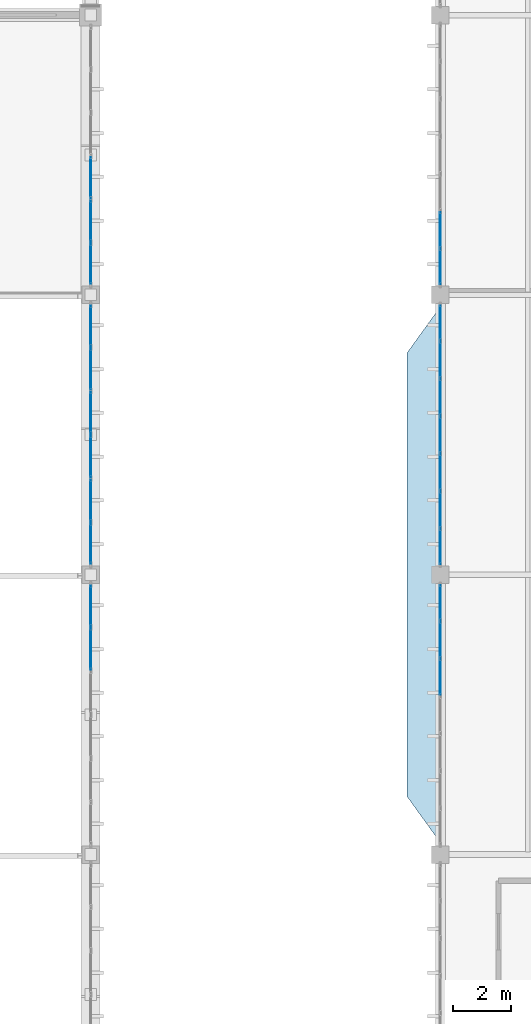
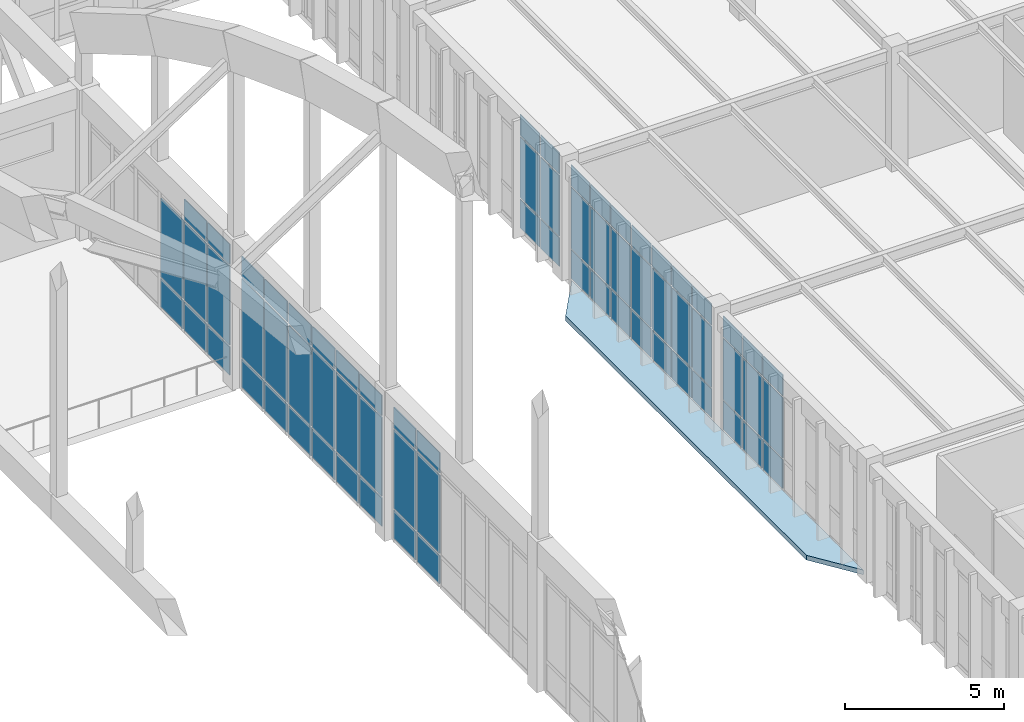
# One storey, part 204 of 236: 68 plates, 1 slab, 6 elements without a shape of their own.
"""IFC4 building model written with IfcOpenShell, lengths in metres."""

from ifc_helpers import new_model, si_unit, direction, frame, origin, origin_2d, place, context, subcontext, project, spatial, polyline, rectangle, outline, extrude, material, layer, layer_set, type_object, element, aggregate, save


model = new_model("IFC4")

# Units and contexts
model_context = context("Model", 3, precision=1e-05, world=origin(), true_north=direction((0.0, 1.0)))
body_context = subcontext(model_context, "Body", "Model", "MODEL_VIEW")
ifc_project = project(units=[si_unit("LENGTHUNIT", "METRE"), si_unit("AREAUNIT", "SQUARE_METRE"), si_unit("VOLUMEUNIT", "CUBIC_METRE"), si_unit("PLANEANGLEUNIT", "RADIAN"), si_unit("MASSUNIT", "GRAM", prefix="KILO")], contexts=[model_context])

# Site, building, storey
site_placement = place(None, origin())
site = spatial("IfcSite", under=ifc_project, at=site_placement, CompositionType="ELEMENT")
building_placement = place(site_placement, origin())
building = spatial("IfcBuilding", under=site, at=building_placement, Name="Pandanus Reach Market Hall", CompositionType="ELEMENT")
storey_placement = place(building_placement, frame((0.0, 0.0, 5.39990234375)))
storey = spatial("IfcBuildingStorey", under=building, at=storey_placement, Name="L01", CompositionType="ELEMENT", Elevation=5.39990234375)

# Curtain wall, plates
ifc_material_1 = material(Name="Bronze anodised aluminium and low-E glass", Category="aluminium")
ifc_layer_1 = layer(ifc_material_1, 0.159912109375, Name="CW-29")
ifc_layer_set_1 = layer_set([ifc_layer_1], Name="Bronze anodised aluminium and low-E glass")
curtain_wall_type_1 = type_object("IfcCurtainWallType", Name="CW-29", PredefinedType="NOTDEFINED", material=ifc_layer_set_1)
curtain_wall_1_placement = place(storey_placement, origin())
curtain_wall_1 = element("IfcCurtainWall", 1, at=curtain_wall_1_placement, inside=storey, type_object=curtain_wall_type_1, Name="Glazed curtain wall CW-29 CW-0096", PredefinedType="NOTDEFINED")
ifc_material_2 = material(Name="Solar-control double glazing", Category="glass")
ifc_layer_2 = layer(ifc_material_2, 0.028076171875, Name="CW-P1")
ifc_layer_set_2 = layer_set([ifc_layer_2], Name="Solar-control double glazing")
plate_type_1 = type_object("IfcPlateType", Name="CW-P1", PredefinedType="CURTAIN_PANEL", material=ifc_layer_set_2)
plate_1_placement = place(storey_placement, frame((144.0, 63.685791015625, 0.065185546875), z_axis=(0.0, 0.0, 1.0), x_axis=(0.0, 1.0, 0.0)))
plate_1 = element("IfcPlate", 2, at=plate_1_placement, type_object=plate_type_1, Name="CW-29 panel 5.1", PredefinedType="CURTAIN_PANEL", context=body_context, shape_type="SweptSolid", body=[
    extrude(rectangle(XDim=1.220703125, YDim=0.028076171875, at=origin_2d()), origin(), (0.0, 0.0, 1.0), 1.1025390625),
])
plate_2_placement = place(storey_placement, frame((144.0, 63.685791015625, 1.232666015625), z_axis=(0.0, 0.0, 1.0), x_axis=(0.0, 1.0, 0.0)))
plate_2 = element("IfcPlate", 3, at=plate_2_placement, type_object=plate_type_1, Name="CW-29 panel 5.2", PredefinedType="CURTAIN_PANEL", context=body_context, shape_type="SweptSolid", body=[
    extrude(rectangle(XDim=1.220703125, YDim=0.028076171875, at=origin_2d()), origin(), (0.0, 0.0, 1.0), 2.3349609375),
])
plate_3_placement = place(storey_placement, frame((144.0, 63.685791015625, 3.6328125), z_axis=(0.0, 0.0, 1.0), x_axis=(0.0, 1.0, 0.0)))
plate_3 = element("IfcPlate", 4, at=plate_3_placement, type_object=plate_type_1, Name="CW-29 panel 5.3", PredefinedType="CURTAIN_PANEL", context=body_context, shape_type="SweptSolid", body=[
    extrude(rectangle(XDim=1.220703125, YDim=0.028076171875, at=origin_2d()), origin(), (0.0, 0.0, 1.0), 0.802490234375),
])
plate_4_placement = place(storey_placement, frame((144.0, 64.971435546875, 0.065185546875), z_axis=(0.0, 0.0, 1.0), x_axis=(0.0, 1.0, 0.0)))
plate_4 = element("IfcPlate", 5, at=plate_4_placement, type_object=plate_type_1, Name="CW-29 panel 6.1", PredefinedType="CURTAIN_PANEL", context=body_context, shape_type="SweptSolid", body=[
    extrude(rectangle(XDim=1.220703125, YDim=0.028076171875, at=origin_2d()), origin(), (0.0, 0.0, 1.0), 1.1025390625),
])
plate_5_placement = place(storey_placement, frame((144.0, 64.971435546875, 1.232666015625), z_axis=(0.0, 0.0, 1.0), x_axis=(0.0, 1.0, 0.0)))
plate_5 = element("IfcPlate", 6, at=plate_5_placement, type_object=plate_type_1, Name="CW-29 panel 6.2", PredefinedType="CURTAIN_PANEL", context=body_context, shape_type="SweptSolid", body=[
    extrude(rectangle(XDim=1.220703125, YDim=0.028076171875, at=origin_2d()), origin(), (0.0, 0.0, 1.0), 2.3349609375),
])
plate_6_placement = place(storey_placement, frame((144.0, 64.971435546875, 3.6328125), z_axis=(0.0, 0.0, 1.0), x_axis=(0.0, 1.0, 0.0)))
plate_6 = element("IfcPlate", 7, at=plate_6_placement, type_object=plate_type_1, Name="CW-29 panel 6.3", PredefinedType="CURTAIN_PANEL", context=body_context, shape_type="SweptSolid", body=[
    extrude(rectangle(XDim=1.220703125, YDim=0.028076171875, at=origin_2d()), origin(), (0.0, 0.0, 1.0), 0.802490234375),
])
plate_7_placement = place(storey_placement, frame((144.0, 66.240966796875, 0.065185546875), z_axis=(0.0, 0.0, 1.0), x_axis=(0.0, 1.0, 0.0)))
plate_7 = element("IfcPlate", 8, at=plate_7_placement, type_object=plate_type_1, Name="CW-29 panel 7.1", PredefinedType="CURTAIN_PANEL", context=body_context, shape_type="SweptSolid", body=[
    extrude(rectangle(XDim=1.188232421875, YDim=0.028076171875, at=origin_2d()), origin(), (0.0, 0.0, 1.0), 1.1025390625),
])
plate_8_placement = place(storey_placement, frame((144.0, 66.240966796875, 1.232666015625), z_axis=(0.0, 0.0, 1.0), x_axis=(0.0, 1.0, 0.0)))
plate_8 = element("IfcPlate", 9, at=plate_8_placement, type_object=plate_type_1, Name="CW-29 panel 7.2", PredefinedType="CURTAIN_PANEL", context=body_context, shape_type="SweptSolid", body=[
    extrude(rectangle(XDim=1.188232421875, YDim=0.028076171875, at=origin_2d()), origin(), (0.0, 0.0, 1.0), 2.3349609375),
])
plate_9_placement = place(storey_placement, frame((144.0, 66.240966796875, 3.6328125), z_axis=(0.0, 0.0, 1.0), x_axis=(0.0, 1.0, 0.0)))
plate_9 = element("IfcPlate", 10, at=plate_9_placement, type_object=plate_type_1, Name="CW-29 panel 7.3", PredefinedType="CURTAIN_PANEL", context=body_context, shape_type="SweptSolid", body=[
    extrude(rectangle(XDim=1.188232421875, YDim=0.028076171875, at=origin_2d()), origin(), (0.0, 0.0, 1.0), 0.802490234375),
])
aggregate(curtain_wall_1, [plate_1, plate_2, plate_3, plate_4, plate_5, plate_6, plate_7, plate_8, plate_9])

curtain_wall_2_placement = place(storey_placement, origin())
curtain_wall_2 = element("IfcCurtainWall", 11, at=curtain_wall_2_placement, inside=storey, type_object=curtain_wall_type_1, Name="Glazed curtain wall CW-29 CW-0097", PredefinedType="NOTDEFINED")
plate_10_placement = place(storey_placement, frame((144.0, 68.1591796875, 0.065185546875), z_axis=(0.0, 0.0, 1.0), x_axis=(0.0, 1.0, 0.0)))
plate_10 = element("IfcPlate", 12, at=plate_10_placement, type_object=plate_type_1, Name="CW-29 panel 1.1", PredefinedType="CURTAIN_PANEL", context=body_context, shape_type="SweptSolid", body=[
    extrude(rectangle(XDim=1.188232421875, YDim=0.028076171875, at=origin_2d()), origin(), (0.0, 0.0, 1.0), 1.1025390625),
])
plate_11_placement = place(storey_placement, frame((144.0, 68.1591796875, 1.232666015625), z_axis=(0.0, 0.0, 1.0), x_axis=(0.0, 1.0, 0.0)))
plate_11 = element("IfcPlate", 13, at=plate_11_placement, type_object=plate_type_1, Name="CW-29 panel 1.2", PredefinedType="CURTAIN_PANEL", context=body_context, shape_type="SweptSolid", body=[
    extrude(rectangle(XDim=1.188232421875, YDim=0.028076171875, at=origin_2d()), origin(), (0.0, 0.0, 1.0), 2.3349609375),
])
plate_12_placement = place(storey_placement, frame((144.0, 68.1591796875, 3.6328125), z_axis=(0.0, 0.0, 1.0), x_axis=(0.0, 1.0, 0.0)))
plate_12 = element("IfcPlate", 14, at=plate_12_placement, type_object=plate_type_1, Name="CW-29 panel 1.3", PredefinedType="CURTAIN_PANEL", context=body_context, shape_type="SweptSolid", body=[
    extrude(rectangle(XDim=1.188232421875, YDim=0.028076171875, at=origin_2d()), origin(), (0.0, 0.0, 1.0), 0.802490234375),
])
plate_13_placement = place(storey_placement, frame((144.0, 69.428466796875, 0.065185546875), z_axis=(0.0, 0.0, 1.0), x_axis=(0.0, 1.0, 0.0)))
plate_13 = element("IfcPlate", 15, at=plate_13_placement, type_object=plate_type_1, Name="CW-29 panel 2.1", PredefinedType="CURTAIN_PANEL", context=body_context, shape_type="SweptSolid", body=[
    extrude(rectangle(XDim=1.220703125, YDim=0.028076171875, at=origin_2d()), origin(), (0.0, 0.0, 1.0), 1.1025390625),
])
plate_14_placement = place(storey_placement, frame((144.0, 69.428466796875, 1.232666015625), z_axis=(0.0, 0.0, 1.0), x_axis=(0.0, 1.0, 0.0)))
plate_14 = element("IfcPlate", 16, at=plate_14_placement, type_object=plate_type_1, Name="CW-29 panel 2.2", PredefinedType="CURTAIN_PANEL", context=body_context, shape_type="SweptSolid", body=[
    extrude(rectangle(XDim=1.220703125, YDim=0.028076171875, at=origin_2d()), origin(), (0.0, 0.0, 1.0), 2.3349609375),
])
plate_15_placement = place(storey_placement, frame((144.0, 69.428466796875, 3.6328125), z_axis=(0.0, 0.0, 1.0), x_axis=(0.0, 1.0, 0.0)))
plate_15 = element("IfcPlate", 17, at=plate_15_placement, type_object=plate_type_1, Name="CW-29 panel 2.3", PredefinedType="CURTAIN_PANEL", context=body_context, shape_type="SweptSolid", body=[
    extrude(rectangle(XDim=1.220703125, YDim=0.028076171875, at=origin_2d()), origin(), (0.0, 0.0, 1.0), 0.802490234375),
])
plate_16_placement = place(storey_placement, frame((144.0, 70.71435546875, 0.065185546875), z_axis=(0.0, 0.0, 1.0), x_axis=(0.0, 1.0, 0.0)))
plate_16 = element("IfcPlate", 18, at=plate_16_placement, type_object=plate_type_1, Name="CW-29 panel 3.1", PredefinedType="CURTAIN_PANEL", context=body_context, shape_type="SweptSolid", body=[
    extrude(rectangle(XDim=1.220703125, YDim=0.028076171875, at=origin_2d()), origin(), (0.0, 0.0, 1.0), 1.1025390625),
])
plate_17_placement = place(storey_placement, frame((144.0, 70.71435546875, 1.232666015625), z_axis=(0.0, 0.0, 1.0), x_axis=(0.0, 1.0, 0.0)))
plate_17 = element("IfcPlate", 19, at=plate_17_placement, type_object=plate_type_1, Name="CW-29 panel 3.2", PredefinedType="CURTAIN_PANEL", context=body_context, shape_type="SweptSolid", body=[
    extrude(rectangle(XDim=1.220703125, YDim=0.028076171875, at=origin_2d()), origin(), (0.0, 0.0, 1.0), 2.3349609375),
])
plate_18_placement = place(storey_placement, frame((144.0, 70.71435546875, 3.6328125), z_axis=(0.0, 0.0, 1.0), x_axis=(0.0, 1.0, 0.0)))
plate_18 = element("IfcPlate", 20, at=plate_18_placement, type_object=plate_type_1, Name="CW-29 panel 3.3", PredefinedType="CURTAIN_PANEL", context=body_context, shape_type="SweptSolid", body=[
    extrude(rectangle(XDim=1.220703125, YDim=0.028076171875, at=origin_2d()), origin(), (0.0, 0.0, 1.0), 0.802490234375),
])
plate_19_placement = place(storey_placement, frame((144.0, 72.0, 0.065185546875), z_axis=(0.0, 0.0, 1.0), x_axis=(0.0, 1.0, 0.0)))
plate_19 = element("IfcPlate", 21, at=plate_19_placement, type_object=plate_type_1, Name="CW-29 panel 4.1", PredefinedType="CURTAIN_PANEL", context=body_context, shape_type="SweptSolid", body=[
    extrude(rectangle(XDim=1.220703125, YDim=0.028076171875, at=origin_2d()), origin(), (0.0, 0.0, 1.0), 1.1025390625),
])
plate_20_placement = place(storey_placement, frame((144.0, 72.0, 1.232666015625), z_axis=(0.0, 0.0, 1.0), x_axis=(0.0, 1.0, 0.0)))
plate_20 = element("IfcPlate", 22, at=plate_20_placement, type_object=plate_type_1, Name="CW-29 panel 4.2", PredefinedType="CURTAIN_PANEL", context=body_context, shape_type="SweptSolid", body=[
    extrude(rectangle(XDim=1.220703125, YDim=0.028076171875, at=origin_2d()), origin(), (0.0, 0.0, 1.0), 2.3349609375),
])
plate_21_placement = place(storey_placement, frame((144.0, 72.0, 3.6328125), z_axis=(0.0, 0.0, 1.0), x_axis=(0.0, 1.0, 0.0)))
plate_21 = element("IfcPlate", 23, at=plate_21_placement, type_object=plate_type_1, Name="CW-29 panel 4.3", PredefinedType="CURTAIN_PANEL", context=body_context, shape_type="SweptSolid", body=[
    extrude(rectangle(XDim=1.220703125, YDim=0.028076171875, at=origin_2d()), origin(), (0.0, 0.0, 1.0), 0.802490234375),
])
plate_22_placement = place(storey_placement, frame((144.0, 73.28564453125, 0.065185546875), z_axis=(0.0, 0.0, 1.0), x_axis=(0.0, 1.0, 0.0)))
plate_22 = element("IfcPlate", 24, at=plate_22_placement, type_object=plate_type_1, Name="CW-29 panel 5.1", PredefinedType="CURTAIN_PANEL", context=body_context, shape_type="SweptSolid", body=[
    extrude(rectangle(XDim=1.220703125, YDim=0.028076171875, at=origin_2d()), origin(), (0.0, 0.0, 1.0), 1.1025390625),
])
plate_23_placement = place(storey_placement, frame((144.0, 73.28564453125, 1.232666015625), z_axis=(0.0, 0.0, 1.0), x_axis=(0.0, 1.0, 0.0)))
plate_23 = element("IfcPlate", 25, at=plate_23_placement, type_object=plate_type_1, Name="CW-29 panel 5.2", PredefinedType="CURTAIN_PANEL", context=body_context, shape_type="SweptSolid", body=[
    extrude(rectangle(XDim=1.220703125, YDim=0.028076171875, at=origin_2d()), origin(), (0.0, 0.0, 1.0), 2.3349609375),
])
plate_24_placement = place(storey_placement, frame((144.0, 73.28564453125, 3.6328125), z_axis=(0.0, 0.0, 1.0), x_axis=(0.0, 1.0, 0.0)))
plate_24 = element("IfcPlate", 26, at=plate_24_placement, type_object=plate_type_1, Name="CW-29 panel 5.3", PredefinedType="CURTAIN_PANEL", context=body_context, shape_type="SweptSolid", body=[
    extrude(rectangle(XDim=1.220703125, YDim=0.028076171875, at=origin_2d()), origin(), (0.0, 0.0, 1.0), 0.802490234375),
])
plate_25_placement = place(storey_placement, frame((144.0, 74.571533203125, 0.065185546875), z_axis=(0.0, 0.0, 1.0), x_axis=(0.0, 1.0, 0.0)))
plate_25 = element("IfcPlate", 27, at=plate_25_placement, type_object=plate_type_1, Name="CW-29 panel 6.1", PredefinedType="CURTAIN_PANEL", context=body_context, shape_type="SweptSolid", body=[
    extrude(rectangle(XDim=1.220703125, YDim=0.028076171875, at=origin_2d()), origin(), (0.0, 0.0, 1.0), 1.1025390625),
])
plate_26_placement = place(storey_placement, frame((144.0, 74.571533203125, 1.232666015625), z_axis=(0.0, 0.0, 1.0), x_axis=(0.0, 1.0, 0.0)))
plate_26 = element("IfcPlate", 28, at=plate_26_placement, type_object=plate_type_1, Name="CW-29 panel 6.2", PredefinedType="CURTAIN_PANEL", context=body_context, shape_type="SweptSolid", body=[
    extrude(rectangle(XDim=1.220703125, YDim=0.028076171875, at=origin_2d()), origin(), (0.0, 0.0, 1.0), 2.3349609375),
])
plate_27_placement = place(storey_placement, frame((144.0, 74.571533203125, 3.6328125), z_axis=(0.0, 0.0, 1.0), x_axis=(0.0, 1.0, 0.0)))
plate_27 = element("IfcPlate", 29, at=plate_27_placement, type_object=plate_type_1, Name="CW-29 panel 6.3", PredefinedType="CURTAIN_PANEL", context=body_context, shape_type="SweptSolid", body=[
    extrude(rectangle(XDim=1.220703125, YDim=0.028076171875, at=origin_2d()), origin(), (0.0, 0.0, 1.0), 0.802490234375),
])
plate_28_placement = place(storey_placement, frame((144.0, 75.8408203125, 0.065185546875), z_axis=(0.0, 0.0, 1.0), x_axis=(0.0, 1.0, 0.0)))
plate_28 = element("IfcPlate", 30, at=plate_28_placement, type_object=plate_type_1, Name="CW-29 panel 7.1", PredefinedType="CURTAIN_PANEL", context=body_context, shape_type="SweptSolid", body=[
    extrude(rectangle(XDim=1.188232421875, YDim=0.028076171875, at=origin_2d()), origin(), (0.0, 0.0, 1.0), 1.1025390625),
])
plate_29_placement = place(storey_placement, frame((144.0, 75.8408203125, 1.232666015625), z_axis=(0.0, 0.0, 1.0), x_axis=(0.0, 1.0, 0.0)))
plate_29 = element("IfcPlate", 31, at=plate_29_placement, type_object=plate_type_1, Name="CW-29 panel 7.2", PredefinedType="CURTAIN_PANEL", context=body_context, shape_type="SweptSolid", body=[
    extrude(rectangle(XDim=1.188232421875, YDim=0.028076171875, at=origin_2d()), origin(), (0.0, 0.0, 1.0), 2.3349609375),
])
plate_30_placement = place(storey_placement, frame((144.0, 75.8408203125, 3.6328125), z_axis=(0.0, 0.0, 1.0), x_axis=(0.0, 1.0, 0.0)))
plate_30 = element("IfcPlate", 32, at=plate_30_placement, type_object=plate_type_1, Name="CW-29 panel 7.3", PredefinedType="CURTAIN_PANEL", context=body_context, shape_type="SweptSolid", body=[
    extrude(rectangle(XDim=1.188232421875, YDim=0.028076171875, at=origin_2d()), origin(), (0.0, 0.0, 1.0), 0.802490234375),
])
aggregate(curtain_wall_2, [plate_10, plate_11, plate_12, plate_13, plate_14, plate_15, plate_16, plate_17, plate_18, plate_19, plate_20, plate_21, plate_22, plate_23, plate_24, plate_25, plate_26, plate_27, plate_28, plate_29, plate_30])

curtain_wall_3_placement = place(storey_placement, origin())
curtain_wall_3 = element("IfcCurtainWall", 33, at=curtain_wall_3_placement, inside=storey, type_object=curtain_wall_type_1, Name="Glazed curtain wall CW-29 CW-0098", PredefinedType="NOTDEFINED")
plate_31_placement = place(storey_placement, frame((144.0, 77.759033203125, 0.065185546875), z_axis=(0.0, 0.0, 1.0), x_axis=(0.0, 1.0, 0.0)))
plate_31 = element("IfcPlate", 34, at=plate_31_placement, type_object=plate_type_1, Name="CW-29 panel 1.1", PredefinedType="CURTAIN_PANEL", context=body_context, shape_type="SweptSolid", body=[
    extrude(rectangle(XDim=1.188232421875, YDim=0.028076171875, at=origin_2d()), origin(), (0.0, 0.0, 1.0), 1.1025390625),
])
plate_32_placement = place(storey_placement, frame((144.0, 77.759033203125, 1.232666015625), z_axis=(0.0, 0.0, 1.0), x_axis=(0.0, 1.0, 0.0)))
plate_32 = element("IfcPlate", 35, at=plate_32_placement, type_object=plate_type_1, Name="CW-29 panel 1.2", PredefinedType="CURTAIN_PANEL", context=body_context, shape_type="SweptSolid", body=[
    extrude(rectangle(XDim=1.188232421875, YDim=0.028076171875, at=origin_2d()), origin(), (0.0, 0.0, 1.0), 2.3349609375),
])
plate_33_placement = place(storey_placement, frame((144.0, 77.759033203125, 3.6328125), z_axis=(0.0, 0.0, 1.0), x_axis=(0.0, 1.0, 0.0)))
plate_33 = element("IfcPlate", 36, at=plate_33_placement, type_object=plate_type_1, Name="CW-29 panel 1.3", PredefinedType="CURTAIN_PANEL", context=body_context, shape_type="SweptSolid", body=[
    extrude(rectangle(XDim=1.188232421875, YDim=0.028076171875, at=origin_2d()), origin(), (0.0, 0.0, 1.0), 0.802490234375),
])
plate_34_placement = place(storey_placement, frame((144.0, 79.028564453125, 0.065185546875), z_axis=(0.0, 0.0, 1.0), x_axis=(0.0, 1.0, 0.0)))
plate_34 = element("IfcPlate", 37, at=plate_34_placement, type_object=plate_type_1, Name="CW-29 panel 2.1", PredefinedType="CURTAIN_PANEL", context=body_context, shape_type="SweptSolid", body=[
    extrude(rectangle(XDim=1.220703125, YDim=0.028076171875, at=origin_2d()), origin(), (0.0, 0.0, 1.0), 1.1025390625),
])
plate_35_placement = place(storey_placement, frame((144.0, 79.028564453125, 1.232666015625), z_axis=(0.0, 0.0, 1.0), x_axis=(0.0, 1.0, 0.0)))
plate_35 = element("IfcPlate", 38, at=plate_35_placement, type_object=plate_type_1, Name="CW-29 panel 2.2", PredefinedType="CURTAIN_PANEL", context=body_context, shape_type="SweptSolid", body=[
    extrude(rectangle(XDim=1.220703125, YDim=0.028076171875, at=origin_2d()), origin(), (0.0, 0.0, 1.0), 2.3349609375),
])
plate_36_placement = place(storey_placement, frame((144.0, 79.028564453125, 3.6328125), z_axis=(0.0, 0.0, 1.0), x_axis=(0.0, 1.0, 0.0)))
plate_36 = element("IfcPlate", 39, at=plate_36_placement, type_object=plate_type_1, Name="CW-29 panel 2.3", PredefinedType="CURTAIN_PANEL", context=body_context, shape_type="SweptSolid", body=[
    extrude(rectangle(XDim=1.220703125, YDim=0.028076171875, at=origin_2d()), origin(), (0.0, 0.0, 1.0), 0.802490234375),
])
aggregate(curtain_wall_3, [plate_31, plate_32, plate_33, plate_34, plate_35, plate_36])

ifc_layer_3 = layer(ifc_material_1, 0.199951171875, Name="CW-05")
ifc_layer_set_3 = layer_set([ifc_layer_3], Name="Bronze anodised aluminium and low-E glass")
curtain_wall_type_2 = type_object("IfcCurtainWallType", Name="CW-05", PredefinedType="NOTDEFINED", material=ifc_layer_set_3)
curtain_wall_4_placement = place(storey_placement, origin())
curtain_wall_4 = element("IfcCurtainWall", 40, at=curtain_wall_4_placement, inside=storey, type_object=curtain_wall_type_2, Name="Glazed curtain wall CW-05 CW-0031", PredefinedType="NOTDEFINED")
ifc_material_3 = material(Name="Acoustic laminated solar double glazing", Category="glass")
ifc_layer_4 = layer(ifc_material_3, 0.031982421875, Name="CW-P2")
ifc_layer_set_4 = layer_set([ifc_layer_4], Name="Acoustic laminated solar double glazing")
plate_type_2 = type_object("IfcPlateType", Name="CW-P2", PredefinedType="CURTAIN_PANEL", material=ifc_layer_set_4)
plate_37_placement = place(storey_placement, frame((132.0, 64.64990234375, 0.0751953125), z_axis=(0.0, 0.0, 1.0), x_axis=(0.0, 1.0, 0.0)))
plate_37 = element("IfcPlate", 41, at=plate_37_placement, type_object=plate_type_2, Name="CW-05 panel 5.1", PredefinedType="CURTAIN_PANEL", context=body_context, shape_type="SweptSolid", body=[
    extrude(rectangle(XDim=1.425048828125, YDim=0.031982421875, at=origin_2d()), origin(), (0.0, 0.0, 1.0), 1.08740234375),
])
plate_38_placement = place(storey_placement, frame((132.0, 64.64990234375, 1.237548828125), z_axis=(0.0, 0.0, 1.0), x_axis=(0.0, 1.0, 0.0)))
plate_38 = element("IfcPlate", 42, at=plate_38_placement, type_object=plate_type_2, Name="CW-05 panel 5.2", PredefinedType="CURTAIN_PANEL", context=body_context, shape_type="SweptSolid", body=[
    extrude(rectangle(XDim=1.425048828125, YDim=0.031982421875, at=origin_2d()), origin(), (0.0, 0.0, 1.0), 3.02490234375),
])
plate_39_placement = place(storey_placement, frame((132.0, 64.64990234375, 4.337646484375), z_axis=(0.0, 0.0, 1.0), x_axis=(0.0, 1.0, 0.0)))
plate_39 = element("IfcPlate", 43, at=plate_39_placement, type_object=plate_type_2, Name="CW-05 panel 5.3", PredefinedType="CURTAIN_PANEL", context=body_context, shape_type="SweptSolid", body=[
    extrude(rectangle(XDim=1.425048828125, YDim=0.031982421875, at=origin_2d()), origin(), (0.0, 0.0, 1.0), 0.78759765625),
])
plate_40_placement = place(storey_placement, frame((132.0, 66.13134765625, 0.0751953125), z_axis=(0.0, 0.0, 1.0), x_axis=(0.0, 1.0, 0.0)))
plate_40 = element("IfcPlate", 44, at=plate_40_placement, type_object=plate_type_2, Name="CW-05 panel 6.1", PredefinedType="CURTAIN_PANEL", context=body_context, shape_type="SweptSolid", body=[
    extrude(rectangle(XDim=1.387451171875, YDim=0.031982421875, at=origin_2d()), origin(), (0.0, 0.0, 1.0), 1.08740234375),
])
plate_41_placement = place(storey_placement, frame((132.0, 66.13134765625, 1.237548828125), z_axis=(0.0, 0.0, 1.0), x_axis=(0.0, 1.0, 0.0)))
plate_41 = element("IfcPlate", 45, at=plate_41_placement, type_object=plate_type_2, Name="CW-05 panel 6.2", PredefinedType="CURTAIN_PANEL", context=body_context, shape_type="SweptSolid", body=[
    extrude(rectangle(XDim=1.387451171875, YDim=0.031982421875, at=origin_2d()), origin(), (0.0, 0.0, 1.0), 3.02490234375),
])
plate_42_placement = place(storey_placement, frame((132.0, 66.13134765625, 4.337646484375), z_axis=(0.0, 0.0, 1.0), x_axis=(0.0, 1.0, 0.0)))
plate_42 = element("IfcPlate", 46, at=plate_42_placement, type_object=plate_type_2, Name="CW-05 panel 6.3", PredefinedType="CURTAIN_PANEL", context=body_context, shape_type="SweptSolid", body=[
    extrude(rectangle(XDim=1.387451171875, YDim=0.031982421875, at=origin_2d()), origin(), (0.0, 0.0, 1.0), 0.78759765625),
])
aggregate(curtain_wall_4, [plate_37, plate_38, plate_39, plate_40, plate_41, plate_42])

curtain_wall_5_placement = place(storey_placement, origin())
curtain_wall_5 = element("IfcCurtainWall", 47, at=curtain_wall_5_placement, inside=storey, type_object=curtain_wall_type_2, Name="Glazed curtain wall CW-05 CW-0033", PredefinedType="NOTDEFINED")
plate_43_placement = place(storey_placement, frame((132.0, 68.268798828125, 0.0751953125), z_axis=(0.0, 0.0, 1.0), x_axis=(0.0, 1.0, 0.0)))
plate_43 = element("IfcPlate", 48, at=plate_43_placement, type_object=plate_type_2, Name="CW-05 panel 1.1", PredefinedType="CURTAIN_PANEL", context=body_context, shape_type="SweptSolid", body=[
    extrude(rectangle(XDim=1.387451171875, YDim=0.031982421875, at=origin_2d()), origin(), (0.0, 0.0, 1.0), 1.08740234375),
])
plate_44_placement = place(storey_placement, frame((132.0, 68.268798828125, 1.237548828125), z_axis=(0.0, 0.0, 1.0), x_axis=(0.0, 1.0, 0.0)))
plate_44 = element("IfcPlate", 49, at=plate_44_placement, type_object=plate_type_2, Name="CW-05 panel 1.2", PredefinedType="CURTAIN_PANEL", context=body_context, shape_type="SweptSolid", body=[
    extrude(rectangle(XDim=1.387451171875, YDim=0.031982421875, at=origin_2d()), origin(), (0.0, 0.0, 1.0), 3.02490234375),
])
plate_45_placement = place(storey_placement, frame((132.0, 68.268798828125, 4.337646484375), z_axis=(0.0, 0.0, 1.0), x_axis=(0.0, 1.0, 0.0)))
plate_45 = element("IfcPlate", 50, at=plate_45_placement, type_object=plate_type_2, Name="CW-05 panel 1.3", PredefinedType="CURTAIN_PANEL", context=body_context, shape_type="SweptSolid", body=[
    extrude(rectangle(XDim=1.387451171875, YDim=0.031982421875, at=origin_2d()), origin(), (0.0, 0.0, 1.0), 0.78759765625),
])
plate_46_placement = place(storey_placement, frame((132.0, 69.75, 0.0751953125), z_axis=(0.0, 0.0, 1.0), x_axis=(0.0, 1.0, 0.0)))
plate_46 = element("IfcPlate", 51, at=plate_46_placement, type_object=plate_type_2, Name="CW-05 panel 2.1", PredefinedType="CURTAIN_PANEL", context=body_context, shape_type="SweptSolid", body=[
    extrude(rectangle(XDim=1.425048828125, YDim=0.031982421875, at=origin_2d()), origin(), (0.0, 0.0, 1.0), 1.08740234375),
])
plate_47_placement = place(storey_placement, frame((132.0, 69.75, 1.237548828125), z_axis=(0.0, 0.0, 1.0), x_axis=(0.0, 1.0, 0.0)))
plate_47 = element("IfcPlate", 52, at=plate_47_placement, type_object=plate_type_2, Name="CW-05 panel 2.2", PredefinedType="CURTAIN_PANEL", context=body_context, shape_type="SweptSolid", body=[
    extrude(rectangle(XDim=1.425048828125, YDim=0.031982421875, at=origin_2d()), origin(), (0.0, 0.0, 1.0), 3.02490234375),
])
plate_48_placement = place(storey_placement, frame((132.0, 69.75, 4.337646484375), z_axis=(0.0, 0.0, 1.0), x_axis=(0.0, 1.0, 0.0)))
plate_48 = element("IfcPlate", 53, at=plate_48_placement, type_object=plate_type_2, Name="CW-05 panel 2.3", PredefinedType="CURTAIN_PANEL", context=body_context, shape_type="SweptSolid", body=[
    extrude(rectangle(XDim=1.425048828125, YDim=0.031982421875, at=origin_2d()), origin(), (0.0, 0.0, 1.0), 0.78759765625),
])
plate_49_placement = place(storey_placement, frame((132.0, 71.25, 0.0751953125), z_axis=(0.0, 0.0, 1.0), x_axis=(0.0, 1.0, 0.0)))
plate_49 = element("IfcPlate", 54, at=plate_49_placement, type_object=plate_type_2, Name="CW-05 panel 3.1", PredefinedType="CURTAIN_PANEL", context=body_context, shape_type="SweptSolid", body=[
    extrude(rectangle(XDim=1.425048828125, YDim=0.031982421875, at=origin_2d()), origin(), (0.0, 0.0, 1.0), 1.08740234375),
])
plate_50_placement = place(storey_placement, frame((132.0, 71.25, 1.237548828125), z_axis=(0.0, 0.0, 1.0), x_axis=(0.0, 1.0, 0.0)))
plate_50 = element("IfcPlate", 55, at=plate_50_placement, type_object=plate_type_2, Name="CW-05 panel 3.2", PredefinedType="CURTAIN_PANEL", context=body_context, shape_type="SweptSolid", body=[
    extrude(rectangle(XDim=1.425048828125, YDim=0.031982421875, at=origin_2d()), origin(), (0.0, 0.0, 1.0), 3.02490234375),
])
plate_51_placement = place(storey_placement, frame((132.0, 71.25, 4.337646484375), z_axis=(0.0, 0.0, 1.0), x_axis=(0.0, 1.0, 0.0)))
plate_51 = element("IfcPlate", 56, at=plate_51_placement, type_object=plate_type_2, Name="CW-05 panel 3.3", PredefinedType="CURTAIN_PANEL", context=body_context, shape_type="SweptSolid", body=[
    extrude(rectangle(XDim=1.425048828125, YDim=0.031982421875, at=origin_2d()), origin(), (0.0, 0.0, 1.0), 0.78759765625),
])
plate_52_placement = place(storey_placement, frame((132.0, 72.75, 0.0751953125), z_axis=(0.0, 0.0, 1.0), x_axis=(0.0, 1.0, 0.0)))
plate_52 = element("IfcPlate", 57, at=plate_52_placement, type_object=plate_type_2, Name="CW-05 panel 4.1", PredefinedType="CURTAIN_PANEL", context=body_context, shape_type="SweptSolid", body=[
    extrude(rectangle(XDim=1.425048828125, YDim=0.031982421875, at=origin_2d()), origin(), (0.0, 0.0, 1.0), 1.08740234375),
])
plate_53_placement = place(storey_placement, frame((132.0, 72.75, 1.237548828125), z_axis=(0.0, 0.0, 1.0), x_axis=(0.0, 1.0, 0.0)))
plate_53 = element("IfcPlate", 58, at=plate_53_placement, type_object=plate_type_2, Name="CW-05 panel 4.2", PredefinedType="CURTAIN_PANEL", context=body_context, shape_type="SweptSolid", body=[
    extrude(rectangle(XDim=1.425048828125, YDim=0.031982421875, at=origin_2d()), origin(), (0.0, 0.0, 1.0), 3.02490234375),
])
plate_54_placement = place(storey_placement, frame((132.0, 72.75, 4.337646484375), z_axis=(0.0, 0.0, 1.0), x_axis=(0.0, 1.0, 0.0)))
plate_54 = element("IfcPlate", 59, at=plate_54_placement, type_object=plate_type_2, Name="CW-05 panel 4.3", PredefinedType="CURTAIN_PANEL", context=body_context, shape_type="SweptSolid", body=[
    extrude(rectangle(XDim=1.425048828125, YDim=0.031982421875, at=origin_2d()), origin(), (0.0, 0.0, 1.0), 0.78759765625),
])
plate_55_placement = place(storey_placement, frame((132.0, 74.25, 0.0751953125), z_axis=(0.0, 0.0, 1.0), x_axis=(0.0, 1.0, 0.0)))
plate_55 = element("IfcPlate", 60, at=plate_55_placement, type_object=plate_type_2, Name="CW-05 panel 5.1", PredefinedType="CURTAIN_PANEL", context=body_context, shape_type="SweptSolid", body=[
    extrude(rectangle(XDim=1.425048828125, YDim=0.031982421875, at=origin_2d()), origin(), (0.0, 0.0, 1.0), 1.08740234375),
])
plate_56_placement = place(storey_placement, frame((132.0, 74.25, 1.237548828125), z_axis=(0.0, 0.0, 1.0), x_axis=(0.0, 1.0, 0.0)))
plate_56 = element("IfcPlate", 61, at=plate_56_placement, type_object=plate_type_2, Name="CW-05 panel 5.2", PredefinedType="CURTAIN_PANEL", context=body_context, shape_type="SweptSolid", body=[
    extrude(rectangle(XDim=1.425048828125, YDim=0.031982421875, at=origin_2d()), origin(), (0.0, 0.0, 1.0), 3.02490234375),
])
plate_57_placement = place(storey_placement, frame((132.0, 74.25, 4.337646484375), z_axis=(0.0, 0.0, 1.0), x_axis=(0.0, 1.0, 0.0)))
plate_57 = element("IfcPlate", 62, at=plate_57_placement, type_object=plate_type_2, Name="CW-05 panel 5.3", PredefinedType="CURTAIN_PANEL", context=body_context, shape_type="SweptSolid", body=[
    extrude(rectangle(XDim=1.425048828125, YDim=0.031982421875, at=origin_2d()), origin(), (0.0, 0.0, 1.0), 0.78759765625),
])
plate_58_placement = place(storey_placement, frame((132.0, 75.731201171875, 0.0751953125), z_axis=(0.0, 0.0, 1.0), x_axis=(0.0, 1.0, 0.0)))
plate_58 = element("IfcPlate", 63, at=plate_58_placement, type_object=plate_type_2, Name="CW-05 panel 6.1", PredefinedType="CURTAIN_PANEL", context=body_context, shape_type="SweptSolid", body=[
    extrude(rectangle(XDim=1.387451171875, YDim=0.031982421875, at=origin_2d()), origin(), (0.0, 0.0, 1.0), 1.08740234375),
])
plate_59_placement = place(storey_placement, frame((132.0, 75.731201171875, 1.237548828125), z_axis=(0.0, 0.0, 1.0), x_axis=(0.0, 1.0, 0.0)))
plate_59 = element("IfcPlate", 64, at=plate_59_placement, type_object=plate_type_2, Name="CW-05 panel 6.2", PredefinedType="CURTAIN_PANEL", context=body_context, shape_type="SweptSolid", body=[
    extrude(rectangle(XDim=1.387451171875, YDim=0.031982421875, at=origin_2d()), origin(), (0.0, 0.0, 1.0), 3.02490234375),
])
plate_60_placement = place(storey_placement, frame((132.0, 75.731201171875, 4.337646484375), z_axis=(0.0, 0.0, 1.0), x_axis=(0.0, 1.0, 0.0)))
plate_60 = element("IfcPlate", 65, at=plate_60_placement, type_object=plate_type_2, Name="CW-05 panel 6.3", PredefinedType="CURTAIN_PANEL", context=body_context, shape_type="SweptSolid", body=[
    extrude(rectangle(XDim=1.387451171875, YDim=0.031982421875, at=origin_2d()), origin(), (0.0, 0.0, 1.0), 0.78759765625),
])
aggregate(curtain_wall_5, [plate_43, plate_44, plate_45, plate_46, plate_47, plate_48, plate_49, plate_50, plate_51, plate_52, plate_53, plate_54, plate_55, plate_56, plate_57, plate_58, plate_59, plate_60])

ifc_layer_5 = layer(ifc_material_1, 0.199951171875, Name="CW-04")
ifc_layer_set_5 = layer_set([ifc_layer_5], Name="Bronze anodised aluminium and low-E glass")
curtain_wall_type_3 = type_object("IfcCurtainWallType", Name="CW-04", PredefinedType="NOTDEFINED", material=ifc_layer_set_5)
curtain_wall_6_placement = place(storey_placement, origin())
curtain_wall_6 = element("IfcCurtainWall", 66, at=curtain_wall_6_placement, inside=storey, type_object=curtain_wall_type_3, Name="Glazed curtain wall CW-04 CW-0037", PredefinedType="NOTDEFINED")
plate_61_placement = place(storey_placement, frame((132.0, 77.862548828125, 0.0751953125), z_axis=(0.0, 0.0, 1.0), x_axis=(0.0, 1.0, 0.0)))
plate_61 = element("IfcPlate", 67, at=plate_61_placement, type_object=plate_type_2, Name="CW-04 panel 1.1", PredefinedType="CURTAIN_PANEL", context=body_context, shape_type="SweptSolid", body=[
    extrude(rectangle(XDim=1.375, YDim=0.031982421875, at=origin_2d()), origin(), (0.0, 0.0, 1.0), 1.08740234375),
])
plate_62_placement = place(storey_placement, frame((132.0, 77.862548828125, 1.237548828125), z_axis=(0.0, 0.0, 1.0), x_axis=(0.0, 1.0, 0.0)))
plate_62 = element("IfcPlate", 68, at=plate_62_placement, type_object=plate_type_2, Name="CW-04 panel 1.2", PredefinedType="CURTAIN_PANEL", context=body_context, shape_type="SweptSolid", body=[
    extrude(rectangle(XDim=1.375, YDim=0.031982421875, at=origin_2d()), origin(), (0.0, 0.0, 1.0), 3.02490234375),
])
plate_63_placement = place(storey_placement, frame((132.0, 77.862548828125, 4.337646484375), z_axis=(0.0, 0.0, 1.0), x_axis=(0.0, 1.0, 0.0)))
plate_63 = element("IfcPlate", 69, at=plate_63_placement, type_object=plate_type_2, Name="CW-04 panel 1.3", PredefinedType="CURTAIN_PANEL", context=body_context, shape_type="SweptSolid", body=[
    extrude(rectangle(XDim=1.375, YDim=0.031982421875, at=origin_2d()), origin(), (0.0, 0.0, 1.0), 0.78759765625),
])
plate_64_placement = place(storey_placement, frame((132.0, 79.331298828125, 0.0751953125), z_axis=(0.0, 0.0, 1.0), x_axis=(0.0, 1.0, 0.0)))
plate_64 = element("IfcPlate", 70, at=plate_64_placement, type_object=plate_type_2, Name="CW-04 panel 2.1", PredefinedType="CURTAIN_PANEL", context=body_context, shape_type="SweptSolid", body=[
    extrude(rectangle(XDim=1.41259765625, YDim=0.031982421875, at=origin_2d()), origin(), (0.0, 0.0, 1.0), 1.08740234375),
])
plate_65_placement = place(storey_placement, frame((132.0, 79.331298828125, 1.237548828125), z_axis=(0.0, 0.0, 1.0), x_axis=(0.0, 1.0, 0.0)))
plate_65 = element("IfcPlate", 71, at=plate_65_placement, type_object=plate_type_2, Name="CW-04 panel 2.2", PredefinedType="CURTAIN_PANEL", context=body_context, shape_type="SweptSolid", body=[
    extrude(rectangle(XDim=1.41259765625, YDim=0.031982421875, at=origin_2d()), origin(), (0.0, 0.0, 1.0), 3.02490234375),
])
plate_66_placement = place(storey_placement, frame((132.0, 79.331298828125, 4.337646484375), z_axis=(0.0, 0.0, 1.0), x_axis=(0.0, 1.0, 0.0)))
plate_66 = element("IfcPlate", 72, at=plate_66_placement, type_object=plate_type_2, Name="CW-04 panel 2.3", PredefinedType="CURTAIN_PANEL", context=body_context, shape_type="SweptSolid", body=[
    extrude(rectangle(XDim=1.41259765625, YDim=0.031982421875, at=origin_2d()), origin(), (0.0, 0.0, 1.0), 0.78759765625),
])
plate_67_placement = place(storey_placement, frame((132.0, 80.81884765625, 0.0751953125), z_axis=(0.0, 0.0, 1.0), x_axis=(0.0, 1.0, 0.0)))
plate_67 = element("IfcPlate", 73, at=plate_67_placement, type_object=plate_type_2, Name="CW-04 panel 3.1", PredefinedType="CURTAIN_PANEL", context=body_context, shape_type="SweptSolid", body=[
    extrude(rectangle(XDim=1.41259765625, YDim=0.031982421875, at=origin_2d()), origin(), (0.0, 0.0, 1.0), 1.08740234375),
])
plate_68_placement = place(storey_placement, frame((132.0, 80.81884765625, 1.237548828125), z_axis=(0.0, 0.0, 1.0), x_axis=(0.0, 1.0, 0.0)))
plate_68 = element("IfcPlate", 74, at=plate_68_placement, type_object=plate_type_2, Name="CW-04 panel 3.2", PredefinedType="CURTAIN_PANEL", context=body_context, shape_type="SweptSolid", body=[
    extrude(rectangle(XDim=1.41259765625, YDim=0.031982421875, at=origin_2d()), origin(), (0.0, 0.0, 1.0), 3.02490234375),
])
aggregate(curtain_wall_6, [plate_61, plate_62, plate_63, plate_64, plate_65, plate_66, plate_67, plate_68])

# Slab
ifc_material_4 = material(Name="Concrete N50 (50 MPa)", Category="concrete")
ifc_layer_6 = layer(ifc_material_4, 0.179931640625, Name="RF-CNP-180")
ifc_layer_set_6 = layer_set([ifc_layer_6], Name="Concrete N50 (50 MPa)")
slab_type = type_object("IfcSlabType", Name="RF-CNP-180", PredefinedType="ROOF", material=ifc_layer_set_6)
slab_placement = place(storey_placement, frame((0.0, 0.0, -0.179931640625)))
element("IfcSlab", 75, at=slab_placement, inside=storey, type_object=slab_type, Name="Sculpted concrete brise-soleil hood 19", PredefinedType="ROOF", context=body_context, shape_type="SweptSolid", body=[
    extrude(outline(polyline([(144.0, 58.0), (144.0, 76.39990234375), (142.85009765625, 74.800048828125), (142.85009765625, 59.60009765625), (144.0, 58.0)])), origin(), (0.0, 0.0, 1.0), 0.179931640625),
])

save(model, "model.ifc")
